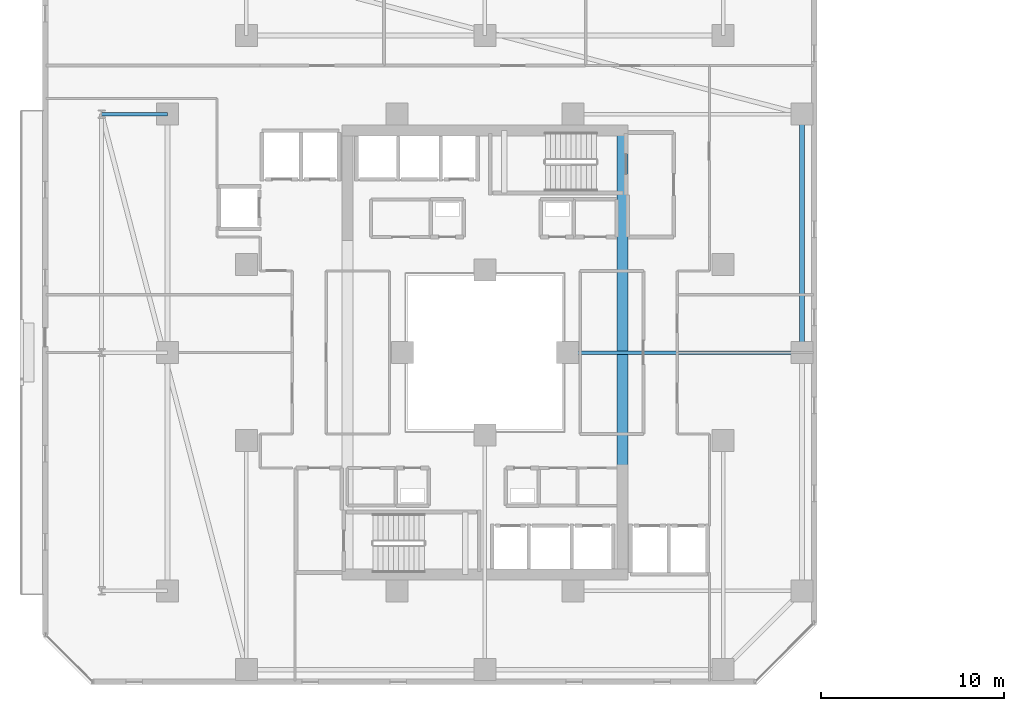
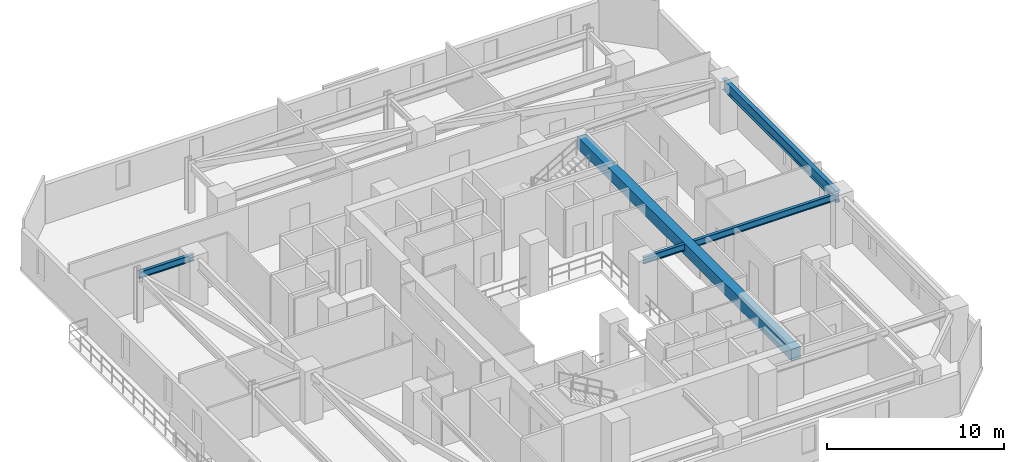
# One storey, part 6 of 33: 4 beams.
"""IFC4 building model written with IfcOpenShell, lengths in metres."""

from ifc_helpers import new_model, si_unit, direction, frame, origin, origin_2d, place, context, subcontext, project, spatial, rectangle, i_section, extrude, material, material_profile, profile_set, type_object, element, save


model = new_model("IFC4")

# Units and contexts
model_context = context("Model", 3, precision=1e-05, world=origin(), true_north=direction((0.0, 1.0)))
body_context = subcontext(model_context, "Body", "Model", "MODEL_VIEW")
ifc_project = project(units=[si_unit("LENGTHUNIT", "METRE"), si_unit("AREAUNIT", "SQUARE_METRE"), si_unit("VOLUMEUNIT", "CUBIC_METRE"), si_unit("PLANEANGLEUNIT", "RADIAN"), si_unit("MASSUNIT", "GRAM", prefix="KILO")], contexts=[model_context])

# Site, building, storey
site_placement = place(None, origin())
site = spatial("IfcSite", under=ifc_project, at=site_placement, CompositionType="ELEMENT")
building_placement = place(site_placement, origin())
building = spatial("IfcBuilding", under=site, at=building_placement, Name="Thornwick Lancets Civic Towers", CompositionType="ELEMENT")
storey_placement = place(building_placement, frame((0.0, 0.0, 108.89990234375)))
storey = spatial("IfcBuildingStorey", under=building, at=storey_placement, Name="L28", CompositionType="ELEMENT", Elevation=108.89990234375)

# Beams
ifc_material_1 = material(Name="Concrete C60/75", Category="concrete")
ifc_material_profile_1 = material_profile(ifc_material_1, rectangle(XDim=0.60009765625, YDim=0.800048828125, at=origin_2d()), Name="RC 600x800")
ifc_profile_set_1 = profile_set([ifc_material_profile_1], Name="Concrete C60/75")
beam_type_1 = type_object("IfcBeamType", Name="BM_COUP_RC800", PredefinedType="BEAM", material=ifc_profile_set_1)
beam_1_placement = place(storey_placement, frame((33.0, 14.89990234375, 2.960205078125), z_axis=(0.0, 1.0, 0.0), x_axis=(-1.0, 0.0, 0.0)))
element("IfcBeam", 1, at=beam_1_placement, inside=storey, type_object=beam_type_1, Name="CB-L28-A1", PredefinedType="BEAM", context=body_context, shape_type="SweptSolid", body=[
    extrude(rectangle(XDim=0.60009765625, YDim=0.800048828125, at=origin_2d()), origin(), (0.0, 0.0, 1.0), 24.2001953125),
])
ifc_material_2 = material(Name="Steel S355JR", Category="steel")
ifc_material_profile_2 = material_profile(ifc_material_2, i_section(OverallWidth=0.26806640625, OverallDepth=0.769775390625, WebThickness=0.015625, FlangeThickness=0.025390625, FilletRadius=0.0166015625, at=origin_2d()), Name="UKB 762x267x197")
ifc_profile_set_2 = profile_set([ifc_material_profile_2], Name="Steel S355JR")
beam_type_2 = type_object("IfcBeamType", Name="BM_GIRD_762_197", PredefinedType="BEAM", material=ifc_profile_set_2)
beam_2_placement = place(storey_placement, frame((42.800048828125, 27.080078125, 2.97509765625), z_axis=(0.0, 1.0, 0.0), x_axis=(-1.0, 0.0, 0.0)))
element("IfcBeam", 2, at=beam_2_placement, inside=storey, type_object=beam_type_2, Name="BM-SPINE-L28-A-4-5", PredefinedType="BEAM", context=body_context, shape_type="SweptSolid", body=[
    extrude(i_section(OverallWidth=0.26806640625, OverallDepth=0.769775390625, WebThickness=0.015625, FlangeThickness=0.025390625, FilletRadius=0.0166015625, at=origin_2d()), origin(), (0.0, 0.0, 1.0), 12.919921875),
])
ifc_material_profile_3 = material_profile(ifc_material_2, i_section(OverallWidth=0.19189453125, OverallDepth=0.46337890625, WebThickness=0.010498046875, FlangeThickness=0.017578125, FilletRadius=0.01025390625, at=origin_2d()), Name="UKB 457x191x89")
ifc_profile_set_3 = profile_set([ifc_material_profile_3], Name="Steel S355JR")
beam_type_3 = type_object("IfcBeamType", Name="BM_JOIST_457_89", PredefinedType="JOIST", material=ifc_profile_set_3)
beam_3_placement = place(storey_placement, frame((30.0, 27.0, 3.12841796875), z_axis=(1.0, 0.0, 0.0), x_axis=(0.0, 1.0, 0.0)))
element("IfcBeam", 3, at=beam_3_placement, inside=storey, type_object=beam_type_3, Name="BM-RADIN-L28-A05", PredefinedType="JOIST", context=body_context, shape_type="SweptSolid", body=[
    extrude(i_section(OverallWidth=0.19189453125, OverallDepth=0.46337890625, WebThickness=0.010498046875, FlangeThickness=0.017578125, FilletRadius=0.01025390625, at=origin_2d()), origin(), (0.0, 0.0, 1.0), 12.800048828125),
])
beam_4_placement = place(storey_placement, frame((8.199951171875, 40.0, 3.12841796875), z_axis=(-1.0, 0.0, 0.0), x_axis=(0.0, -1.0, 0.0)))
element("IfcBeam", 4, at=beam_4_placement, inside=storey, type_object=beam_type_3, Name="BM-RAD-L28-A12", PredefinedType="JOIST", context=body_context, shape_type="SweptSolid", body=[
    extrude(i_section(OverallWidth=0.19189453125, OverallDepth=0.46337890625, WebThickness=0.010498046875, FlangeThickness=0.017578125, FilletRadius=0.01025390625, at=origin_2d()), origin(), (0.0, 0.0, 1.0), 3.599853515625),
])

save(model, "model.ifc")
